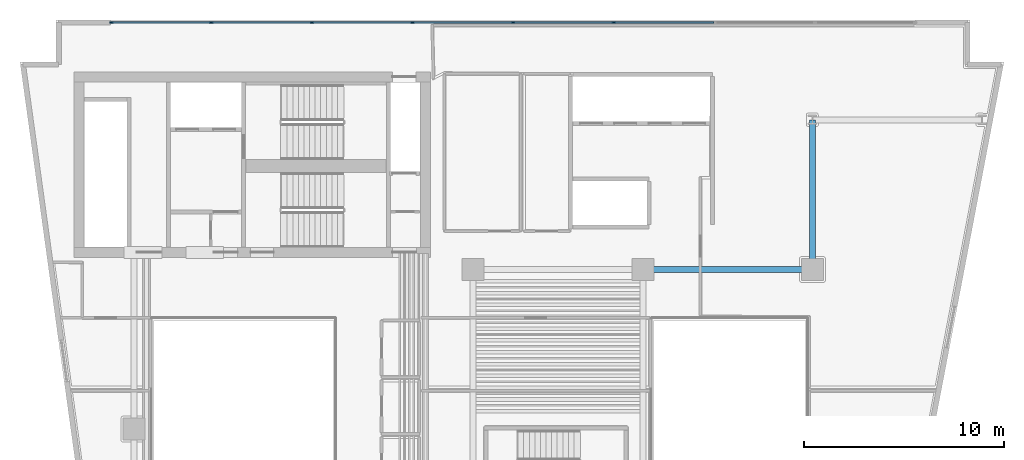
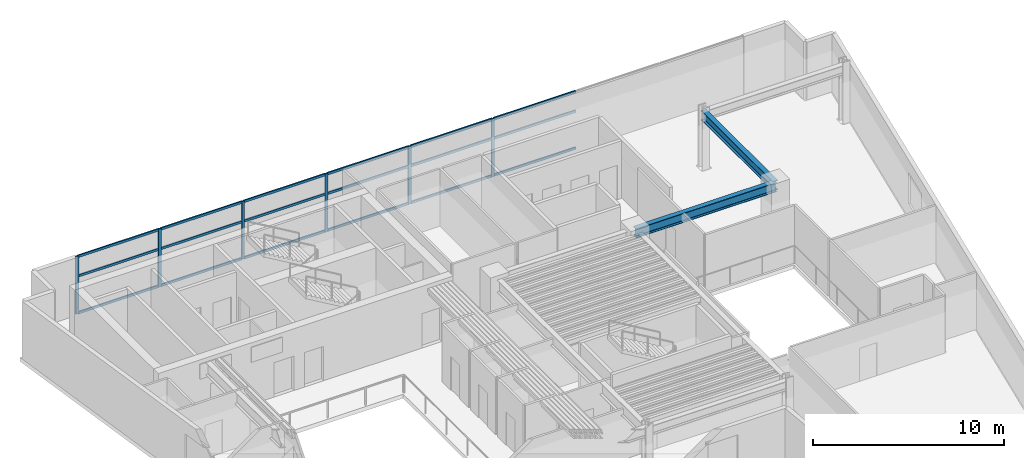
# One storey, part 3 of 13: 24 members, 2 beams, 1 element without a shape of its own.
"""IFC4 building model written with IfcOpenShell, lengths in metres."""

from ifc_helpers import new_model, si_unit, direction, frame, origin, origin_2d, place, context, subcontext, project, spatial, rectangle, i_section, extrude, material, layer, layer_set, material_profile, profile_set, type_object, element, aggregate, save


model = new_model("IFC4")

# Units and contexts
model_context = context("Model", 3, precision=1e-05, world=origin(), true_north=direction((0.0, 1.0)))
body_context = subcontext(model_context, "Body", "Model", "MODEL_VIEW")
ifc_project = project(units=[si_unit("LENGTHUNIT", "METRE"), si_unit("AREAUNIT", "SQUARE_METRE"), si_unit("VOLUMEUNIT", "CUBIC_METRE"), si_unit("PLANEANGLEUNIT", "RADIAN"), si_unit("MASSUNIT", "GRAM", prefix="KILO")], contexts=[model_context])

# Site, building, storey
site_placement = place(None, origin())
site = spatial("IfcSite", under=ifc_project, at=site_placement, CompositionType="ELEMENT")
building_placement = place(site_placement, origin())
building = spatial("IfcBuilding", under=site, at=building_placement, Name="Caeloran Harvest Quay", CompositionType="ELEMENT")
storey_placement = place(building_placement, frame((0.0, 0.0, 135.10009765625)))
storey = spatial("IfcBuildingStorey", under=building, at=storey_placement, Name="L31", CompositionType="ELEMENT", Elevation=135.10009765625)

# Beams
ifc_material_1 = material(Name="Steel S355J2", Category="steel")
ifc_material_profile_1 = material_profile(ifc_material_1, i_section(OverallWidth=0.300048828125, OverallDepth=0.60009765625, WebThickness=0.015380859375, FlangeThickness=0.030029296875, FilletRadius=0.027099609375, at=origin_2d()), Name="HE 600 B")
ifc_profile_set_1 = profile_set([ifc_material_profile_1], Name="Steel S355J2")
beam_type = type_object("IfcBeamType", Name="BM-PG-3-HE_600_B", PredefinedType="BEAM", material=ifc_profile_set_1)
beam_1_placement = place(storey_placement, frame((34.0, 31.0, 3.389892578125), z_axis=(1.0, 0.0, 0.0), x_axis=(0.0, 1.0, 0.0)))
element("IfcBeam", 1, at=beam_1_placement, inside=storey, type_object=beam_type, Name="L31 Primary East-West Girder Y=31.0", PredefinedType="BEAM", context=body_context, shape_type="SweptSolid", body=[
    extrude(i_section(OverallWidth=0.300048828125, OverallDepth=0.60009765625, WebThickness=0.015380859375, FlangeThickness=0.030029296875, FilletRadius=0.027099609375, at=origin_2d()), origin(), (0.0, 0.0, 1.0), 8.5),
])
beam_2_placement = place(storey_placement, frame((42.5, 31.0, 3.389892578125), z_axis=(0.0, 1.0, 0.0), x_axis=(-1.0, 0.0, 0.0)))
element("IfcBeam", 2, at=beam_2_placement, inside=storey, type_object=beam_type, Name="L31 Primary North-South Girder X=42.5", PredefinedType="BEAM", context=body_context, shape_type="SweptSolid", body=[
    extrude(i_section(OverallWidth=0.300048828125, OverallDepth=0.60009765625, WebThickness=0.015380859375, FlangeThickness=0.030029296875, FilletRadius=0.027099609375, at=origin_2d()), origin(), (0.0, 0.0, 1.0), 7.5),
])

# Curtain wall, members
ifc_material_2 = material(Name="Aluminium 6063-T6 and Low-E Glazing", Category="aluminium")
ifc_layer = layer(ifc_material_2, 0.18994140625, Name="Aluminium 6063-T6 and Low-E Glazing")
ifc_layer_set = layer_set([ifc_layer], Name="Aluminium 6063-T6 and Low-E Glazing")
curtain_wall_type = type_object("IfcCurtainWallType", Name="CW-SYS-CW-3", PredefinedType="USERDEFINED", material=ifc_layer_set)
curtain_wall_placement = place(storey_placement, origin())
curtain_wall = element("IfcCurtainWall", 3, at=curtain_wall_placement, inside=storey, type_object=curtain_wall_type, Name="L31 Unitised Curtain Wall CW-3 Run 6", ObjectType="CURTAIN_WALL", PredefinedType="USERDEFINED")
ifc_material_3 = material(Name="Aluminium 6063-T6", Category="aluminium")
ifc_material_profile_2 = material_profile(ifc_material_3, rectangle(XDim=0.080078125, YDim=0.179931640625, at=origin_2d()), Name="CW-MULLION-180")
ifc_profile_set_2 = profile_set([ifc_material_profile_2], Name="Aluminium 6063-T6")
member_type_1 = type_object("IfcMemberType", Name="CW-MULLION-180", PredefinedType="MULLION", material=ifc_profile_set_2)
member_1_placement = place(storey_placement, frame((7.3701171875, 43.3701171875, 0.0), z_axis=(0.0, 0.0, 1.0), x_axis=(0.0, 1.0, 0.0)))
member_1 = element("IfcMember", 4, at=member_1_placement, type_object=member_type_1, Name="CW-3 mullion 1", PredefinedType="MULLION", context=body_context, shape_type="SweptSolid", body=[
    extrude(rectangle(XDim=0.080078125, YDim=0.179931640625, at=origin_2d()), origin(), (0.0, 0.0, 1.0), 3.68994140625),
])
member_2_placement = place(storey_placement, frame((12.37255859375, 43.3701171875, 0.0), z_axis=(0.0, 0.0, 1.0), x_axis=(0.0, 1.0, 0.0)))
member_2 = element("IfcMember", 5, at=member_2_placement, type_object=member_type_1, Name="CW-3 mullion 2", PredefinedType="MULLION", context=body_context, shape_type="SweptSolid", body=[
    extrude(rectangle(XDim=0.080078125, YDim=0.179931640625, at=origin_2d()), origin(), (0.0, 0.0, 1.0), 3.68994140625),
])
member_3_placement = place(storey_placement, frame((17.4150390625, 43.3701171875, 0.0), z_axis=(0.0, 0.0, 1.0), x_axis=(0.0, 1.0, 0.0)))
member_3 = element("IfcMember", 6, at=member_3_placement, type_object=member_type_1, Name="CW-3 mullion 3", PredefinedType="MULLION", context=body_context, shape_type="SweptSolid", body=[
    extrude(rectangle(XDim=0.080078125, YDim=0.179931640625, at=origin_2d()), origin(), (0.0, 0.0, 1.0), 3.68994140625),
])
member_4_placement = place(storey_placement, frame((22.45751953125, 43.3701171875, 0.0), z_axis=(0.0, 0.0, 1.0), x_axis=(0.0, 1.0, 0.0)))
member_4 = element("IfcMember", 7, at=member_4_placement, type_object=member_type_1, Name="CW-3 mullion 4", PredefinedType="MULLION", context=body_context, shape_type="SweptSolid", body=[
    extrude(rectangle(XDim=0.080078125, YDim=0.179931640625, at=origin_2d()), origin(), (0.0, 0.0, 1.0), 3.68994140625),
])
member_5_placement = place(storey_placement, frame((27.5, 43.3701171875, 0.0), z_axis=(0.0, 0.0, 1.0), x_axis=(0.0, 1.0, 0.0)))
member_5 = element("IfcMember", 8, at=member_5_placement, type_object=member_type_1, Name="CW-3 mullion 5", PredefinedType="MULLION", context=body_context, shape_type="SweptSolid", body=[
    extrude(rectangle(XDim=0.080078125, YDim=0.179931640625, at=origin_2d()), origin(), (0.0, 0.0, 1.0), 3.68994140625),
])
member_6_placement = place(storey_placement, frame((32.54248046875, 43.3701171875, 0.0), z_axis=(0.0, 0.0, 1.0), x_axis=(0.0, 1.0, 0.0)))
member_6 = element("IfcMember", 9, at=member_6_placement, type_object=member_type_1, Name="CW-3 mullion 6", PredefinedType="MULLION", context=body_context, shape_type="SweptSolid", body=[
    extrude(rectangle(XDim=0.080078125, YDim=0.179931640625, at=origin_2d()), origin(), (0.0, 0.0, 1.0), 3.68994140625),
])
ifc_material_profile_3 = material_profile(ifc_material_3, rectangle(XDim=0.080078125, YDim=0.14990234375, at=origin_2d()), Name="CW-TRANSOM-150")
ifc_profile_set_3 = profile_set([ifc_material_profile_3], Name="Aluminium 6063-T6")
member_type_2 = type_object("IfcMemberType", Name="CW-TRANSOM-150", PredefinedType="USERDEFINED", material=ifc_profile_set_3)
member_7_placement = place(storey_placement, frame((7.409912109375, 43.3701171875, 0.039794921875), z_axis=(1.0, 0.0, 0.0), x_axis=(0.0, 1.0, 0.0)))
member_7 = element("IfcMember", 10, at=member_7_placement, type_object=member_type_2, Name="CW-3 transom 1.1", ObjectType="TRANSOM", PredefinedType="USERDEFINED", context=body_context, shape_type="SweptSolid", body=[
    extrude(rectangle(XDim=0.080078125, YDim=0.14990234375, at=origin_2d()), origin(), (0.0, 0.0, 1.0), 4.922607421875),
])
member_8_placement = place(storey_placement, frame((7.409912109375, 43.3701171875, 2.39990234375), z_axis=(1.0, 0.0, 0.0), x_axis=(0.0, 1.0, 0.0)))
member_8 = element("IfcMember", 11, at=member_8_placement, type_object=member_type_2, Name="CW-3 transom 1.2", ObjectType="TRANSOM", PredefinedType="USERDEFINED", context=body_context, shape_type="SweptSolid", body=[
    extrude(rectangle(XDim=0.080078125, YDim=0.14990234375, at=origin_2d()), origin(), (0.0, 0.0, 1.0), 4.922607421875),
])
member_9_placement = place(storey_placement, frame((7.409912109375, 43.3701171875, 3.64990234375), z_axis=(1.0, 0.0, 0.0), x_axis=(0.0, 1.0, 0.0)))
member_9 = element("IfcMember", 12, at=member_9_placement, type_object=member_type_2, Name="CW-3 transom 1.3", ObjectType="TRANSOM", PredefinedType="USERDEFINED", context=body_context, shape_type="SweptSolid", body=[
    extrude(rectangle(XDim=0.080078125, YDim=0.14990234375, at=origin_2d()), origin(), (0.0, 0.0, 1.0), 4.922607421875),
])
member_10_placement = place(storey_placement, frame((12.41259765625, 43.3701171875, 0.039794921875), z_axis=(1.0, 0.0, 0.0), x_axis=(0.0, 1.0, 0.0)))
member_10 = element("IfcMember", 13, at=member_10_placement, type_object=member_type_2, Name="CW-3 transom 2.1", ObjectType="TRANSOM", PredefinedType="USERDEFINED", context=body_context, shape_type="SweptSolid", body=[
    extrude(rectangle(XDim=0.080078125, YDim=0.14990234375, at=origin_2d()), origin(), (0.0, 0.0, 1.0), 4.96240234375),
])
member_11_placement = place(storey_placement, frame((12.41259765625, 43.3701171875, 2.39990234375), z_axis=(1.0, 0.0, 0.0), x_axis=(0.0, 1.0, 0.0)))
member_11 = element("IfcMember", 14, at=member_11_placement, type_object=member_type_2, Name="CW-3 transom 2.2", ObjectType="TRANSOM", PredefinedType="USERDEFINED", context=body_context, shape_type="SweptSolid", body=[
    extrude(rectangle(XDim=0.080078125, YDim=0.14990234375, at=origin_2d()), origin(), (0.0, 0.0, 1.0), 4.96240234375),
])
member_12_placement = place(storey_placement, frame((12.41259765625, 43.3701171875, 3.64990234375), z_axis=(1.0, 0.0, 0.0), x_axis=(0.0, 1.0, 0.0)))
member_12 = element("IfcMember", 15, at=member_12_placement, type_object=member_type_2, Name="CW-3 transom 2.3", ObjectType="TRANSOM", PredefinedType="USERDEFINED", context=body_context, shape_type="SweptSolid", body=[
    extrude(rectangle(XDim=0.080078125, YDim=0.14990234375, at=origin_2d()), origin(), (0.0, 0.0, 1.0), 4.96240234375),
])
member_13_placement = place(storey_placement, frame((17.455078125, 43.3701171875, 0.039794921875), z_axis=(1.0, 0.0, 0.0), x_axis=(0.0, 1.0, 0.0)))
member_13 = element("IfcMember", 16, at=member_13_placement, type_object=member_type_2, Name="CW-3 transom 3.1", ObjectType="TRANSOM", PredefinedType="USERDEFINED", context=body_context, shape_type="SweptSolid", body=[
    extrude(rectangle(XDim=0.080078125, YDim=0.14990234375, at=origin_2d()), origin(), (0.0, 0.0, 1.0), 4.96240234375),
])
member_14_placement = place(storey_placement, frame((17.455078125, 43.3701171875, 2.39990234375), z_axis=(1.0, 0.0, 0.0), x_axis=(0.0, 1.0, 0.0)))
member_14 = element("IfcMember", 17, at=member_14_placement, type_object=member_type_2, Name="CW-3 transom 3.2", ObjectType="TRANSOM", PredefinedType="USERDEFINED", context=body_context, shape_type="SweptSolid", body=[
    extrude(rectangle(XDim=0.080078125, YDim=0.14990234375, at=origin_2d()), origin(), (0.0, 0.0, 1.0), 4.96240234375),
])
member_15_placement = place(storey_placement, frame((17.455078125, 43.3701171875, 3.64990234375), z_axis=(1.0, 0.0, 0.0), x_axis=(0.0, 1.0, 0.0)))
member_15 = element("IfcMember", 18, at=member_15_placement, type_object=member_type_2, Name="CW-3 transom 3.3", ObjectType="TRANSOM", PredefinedType="USERDEFINED", context=body_context, shape_type="SweptSolid", body=[
    extrude(rectangle(XDim=0.080078125, YDim=0.14990234375, at=origin_2d()), origin(), (0.0, 0.0, 1.0), 4.96240234375),
])
member_16_placement = place(storey_placement, frame((22.49755859375, 43.3701171875, 0.039794921875), z_axis=(1.0, 0.0, 0.0), x_axis=(0.0, 1.0, 0.0)))
member_16 = element("IfcMember", 19, at=member_16_placement, type_object=member_type_2, Name="CW-3 transom 4.1", ObjectType="TRANSOM", PredefinedType="USERDEFINED", context=body_context, shape_type="SweptSolid", body=[
    extrude(rectangle(XDim=0.080078125, YDim=0.14990234375, at=origin_2d()), origin(), (0.0, 0.0, 1.0), 4.96240234375),
])
member_17_placement = place(storey_placement, frame((22.49755859375, 43.3701171875, 2.39990234375), z_axis=(1.0, 0.0, 0.0), x_axis=(0.0, 1.0, 0.0)))
member_17 = element("IfcMember", 20, at=member_17_placement, type_object=member_type_2, Name="CW-3 transom 4.2", ObjectType="TRANSOM", PredefinedType="USERDEFINED", context=body_context, shape_type="SweptSolid", body=[
    extrude(rectangle(XDim=0.080078125, YDim=0.14990234375, at=origin_2d()), origin(), (0.0, 0.0, 1.0), 4.96240234375),
])
member_18_placement = place(storey_placement, frame((22.49755859375, 43.3701171875, 3.64990234375), z_axis=(1.0, 0.0, 0.0), x_axis=(0.0, 1.0, 0.0)))
member_18 = element("IfcMember", 21, at=member_18_placement, type_object=member_type_2, Name="CW-3 transom 4.3", ObjectType="TRANSOM", PredefinedType="USERDEFINED", context=body_context, shape_type="SweptSolid", body=[
    extrude(rectangle(XDim=0.080078125, YDim=0.14990234375, at=origin_2d()), origin(), (0.0, 0.0, 1.0), 4.96240234375),
])
member_19_placement = place(storey_placement, frame((27.5400390625, 43.3701171875, 0.039794921875), z_axis=(1.0, 0.0, 0.0), x_axis=(0.0, 1.0, 0.0)))
member_19 = element("IfcMember", 22, at=member_19_placement, type_object=member_type_2, Name="CW-3 transom 5.1", ObjectType="TRANSOM", PredefinedType="USERDEFINED", context=body_context, shape_type="SweptSolid", body=[
    extrude(rectangle(XDim=0.080078125, YDim=0.14990234375, at=origin_2d()), origin(), (0.0, 0.0, 1.0), 4.96240234375),
])
member_20_placement = place(storey_placement, frame((27.5400390625, 43.3701171875, 2.39990234375), z_axis=(1.0, 0.0, 0.0), x_axis=(0.0, 1.0, 0.0)))
member_20 = element("IfcMember", 23, at=member_20_placement, type_object=member_type_2, Name="CW-3 transom 5.2", ObjectType="TRANSOM", PredefinedType="USERDEFINED", context=body_context, shape_type="SweptSolid", body=[
    extrude(rectangle(XDim=0.080078125, YDim=0.14990234375, at=origin_2d()), origin(), (0.0, 0.0, 1.0), 4.96240234375),
])
member_21_placement = place(storey_placement, frame((27.5400390625, 43.3701171875, 3.64990234375), z_axis=(1.0, 0.0, 0.0), x_axis=(0.0, 1.0, 0.0)))
member_21 = element("IfcMember", 24, at=member_21_placement, type_object=member_type_2, Name="CW-3 transom 5.3", ObjectType="TRANSOM", PredefinedType="USERDEFINED", context=body_context, shape_type="SweptSolid", body=[
    extrude(rectangle(XDim=0.080078125, YDim=0.14990234375, at=origin_2d()), origin(), (0.0, 0.0, 1.0), 4.96240234375),
])
member_22_placement = place(storey_placement, frame((32.58251953125, 43.3701171875, 0.039794921875), z_axis=(1.0, 0.0, 0.0), x_axis=(0.0, 1.0, 0.0)))
member_22 = element("IfcMember", 25, at=member_22_placement, type_object=member_type_2, Name="CW-3 transom 6.1", ObjectType="TRANSOM", PredefinedType="USERDEFINED", context=body_context, shape_type="SweptSolid", body=[
    extrude(rectangle(XDim=0.080078125, YDim=0.14990234375, at=origin_2d()), origin(), (0.0, 0.0, 1.0), 4.96240234375),
])
member_23_placement = place(storey_placement, frame((32.58251953125, 43.3701171875, 2.39990234375), z_axis=(1.0, 0.0, 0.0), x_axis=(0.0, 1.0, 0.0)))
member_23 = element("IfcMember", 26, at=member_23_placement, type_object=member_type_2, Name="CW-3 transom 6.2", ObjectType="TRANSOM", PredefinedType="USERDEFINED", context=body_context, shape_type="SweptSolid", body=[
    extrude(rectangle(XDim=0.080078125, YDim=0.14990234375, at=origin_2d()), origin(), (0.0, 0.0, 1.0), 4.96240234375),
])
member_24_placement = place(storey_placement, frame((32.58251953125, 43.3701171875, 3.64990234375), z_axis=(1.0, 0.0, 0.0), x_axis=(0.0, 1.0, 0.0)))
member_24 = element("IfcMember", 27, at=member_24_placement, type_object=member_type_2, Name="CW-3 transom 6.3", ObjectType="TRANSOM", PredefinedType="USERDEFINED", context=body_context, shape_type="SweptSolid", body=[
    extrude(rectangle(XDim=0.080078125, YDim=0.14990234375, at=origin_2d()), origin(), (0.0, 0.0, 1.0), 4.96240234375),
])
aggregate(curtain_wall, [member_1, member_2, member_3, member_4, member_5, member_6, member_7, member_8, member_9, member_10, member_11, member_12, member_13, member_14, member_15, member_16, member_17, member_18, member_19, member_20, member_21, member_22, member_23, member_24])

save(model, "model.ifc")
